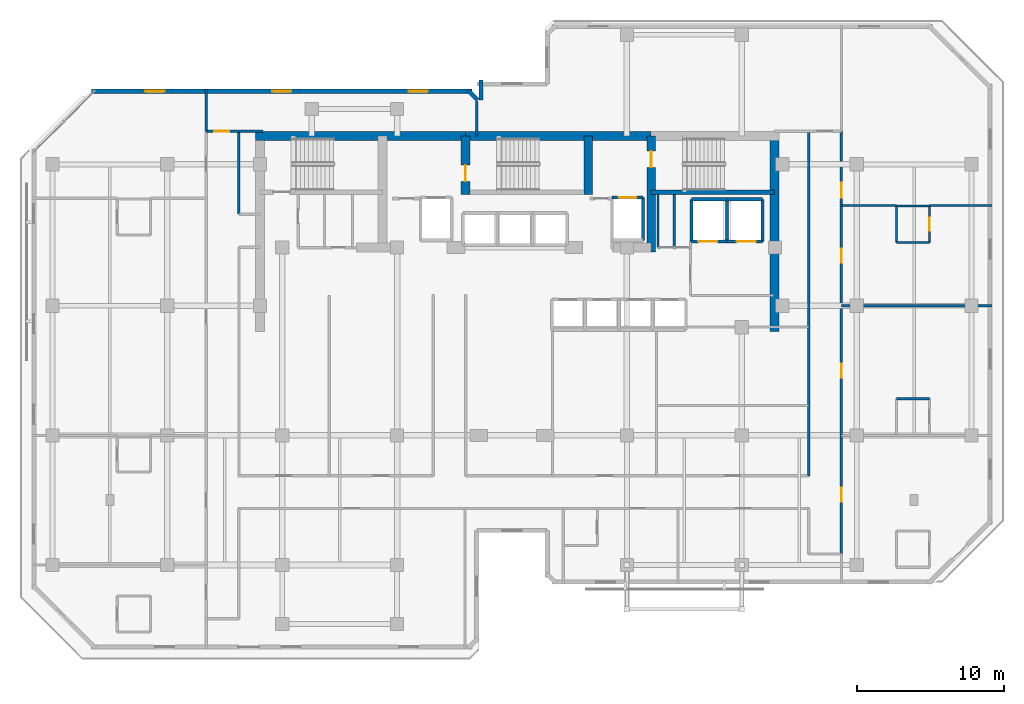
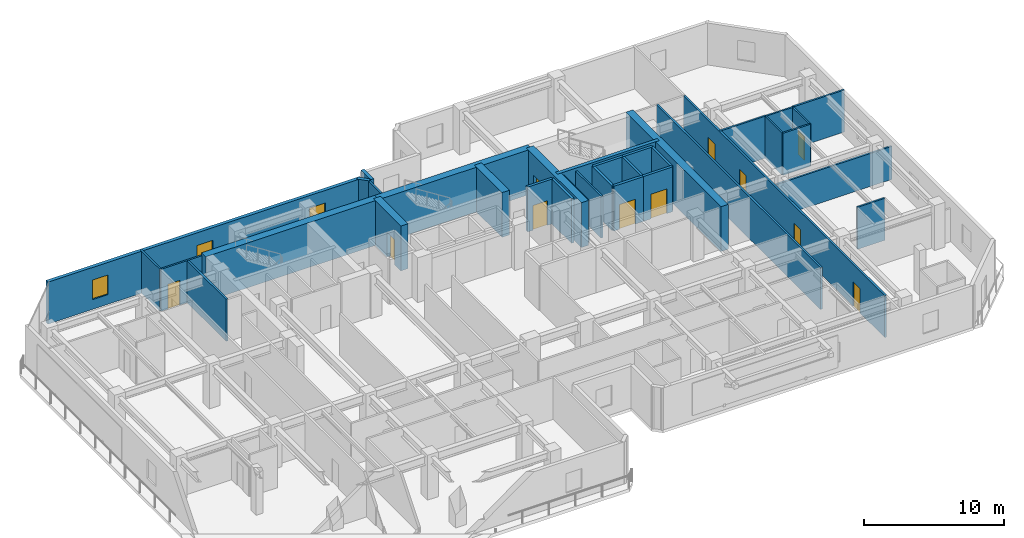
# One storey, part 7 of 10: 35 walls, 11 doors, 3 windows, 14 openings.
"""IFC4 building model written with IfcOpenShell, lengths in metres."""

from ifc_helpers import new_model, si_unit, direction, frame, frame_2d, origin, place, context, subcontext, project, spatial, rectangle, extrude, material, layer, layer_set, type_object, element, fill, save


model = new_model("IFC4")

# Units and contexts
model_context = context("Model", 3, precision=1e-05, world=origin(), true_north=direction((0.0, 1.0)))
body_context = subcontext(model_context, "Body", "Model", "MODEL_VIEW")
ifc_project = project(units=[si_unit("LENGTHUNIT", "METRE"), si_unit("AREAUNIT", "SQUARE_METRE"), si_unit("VOLUMEUNIT", "CUBIC_METRE"), si_unit("PLANEANGLEUNIT", "RADIAN"), si_unit("MASSUNIT", "GRAM", prefix="KILO")], contexts=[model_context])

# Site, building, storey
site_placement = place(None, origin())
site = spatial("IfcSite", under=ifc_project, at=site_placement, CompositionType="ELEMENT")
building_placement = place(site_placement, origin())
building = spatial("IfcBuilding", under=site, at=building_placement, Name="Kestravale Grand Hotel", CompositionType="ELEMENT")
storey_placement = place(building_placement, frame((0.0, 0.0, 189.0)))
storey = spatial("IfcBuildingStorey", under=building, at=storey_placement, Name="L47", CompositionType="ELEMENT", Elevation=189.0)

# Walls
ifc_material_1 = material(Name="Concrete f'c 50 MPa", Category="concrete")
ifc_layer_1 = layer(ifc_material_1, 0.60009765625)
ifc_layer_set_1 = layer_set([ifc_layer_1], Name="EW-CORE-600")
wall_type_1 = type_object("IfcWallType", Name="EW-CORE-600", PredefinedType="SHEAR", material=ifc_layer_set_1)
wall_1_placement = place(storey_placement, frame((21.60009765625, 40.320068359375, 0.0), z_axis=(0.0, 0.0, 1.0), x_axis=(1.0, 0.0, 0.0)))
element("IfcWall", 1, at=wall_1_placement, inside=storey, type_object=wall_type_1, Name="L47 core shear wall N1", PredefinedType="SHEAR", context=body_context, shape_type="SweptSolid", body=[
    extrude(rectangle(XDim=14.25, YDim=0.60009765625, at=frame_2d((7.125, 0.0))), origin(), (0.0, 0.0, 1.0), 3.89990234375),
])
wall_2_placement = place(storey_placement, frame((35.85009765625, 40.320068359375, 0.0), z_axis=(0.0, 0.0, 1.0), x_axis=(1.0, 0.0, 0.0)))
element("IfcWall", 2, at=wall_2_placement, inside=storey, type_object=wall_type_1, Name="L47 core shear wall N2", PredefinedType="SHEAR", context=body_context, shape_type="SweptSolid", body=[
    extrude(rectangle(XDim=12.599853515625, YDim=0.60009765625, at=frame_2d((6.2998046875, 0.0))), origin(), (0.0, 0.0, 1.0), 3.89990234375),
])
wall_3_placement = place(storey_placement, frame((56.820068359375, 27.050048828125, 0.0), z_axis=(0.0, 0.0, 1.0), x_axis=(0.0, 1.0, 0.0)))
element("IfcWall", 3, at=wall_3_placement, inside=storey, type_object=wall_type_1, Name="L47 core shear wall E1", PredefinedType="SHEAR", context=body_context, shape_type="SweptSolid", body=[
    extrude(rectangle(XDim=13.570068359375, YDim=0.60009765625, at=frame_2d((6.78515625, 0.0))), origin(), (0.0, 0.0, 1.0), 3.89990234375),
])

# Wall, opening, door
wall_4_placement = place(storey_placement, frame((35.85009765625, 36.3701171875, 0.0), z_axis=(0.0, 0.0, 1.0), x_axis=(0.0, 1.0, 0.0)))
wall_4 = element("IfcWall", 4, at=wall_4_placement, inside=storey, type_object=wall_type_1, Name="L47 core shear wall X2", PredefinedType="SHEAR", context=body_context, shape_type="SweptSolid", body=[
    extrude(rectangle(XDim=3.949951171875, YDim=0.60009765625, at=frame_2d((1.97509765625, 0.0))), origin(), (0.0, 0.0, 1.0), 3.89990234375),
])
opening_1_placement = place(wall_4_placement, frame((0.8798828125, 0.0, 0.0)))
opening_1 = element("IfcOpeningElement", 5, at=opening_1_placement, cuts=wall_4, Name="Opening D-ST-1100", PredefinedType="OPENING", context=body_context, shape_type="SweptSolid", body=[
    extrude(rectangle(XDim=1.10009765625, YDim=2.14990234375, at=frame_2d((0.550048828125, 1.074951171875))), frame((0.0, 0.31005859375, 0.0), z_axis=(0.0, -1.0, 0.0), x_axis=(1.0, 0.0, 0.0)), (0.0, 0.0, 1.0), 0.6201171875),
])
ifc_material_2 = material(Name="Galvanised 90-minute fire-rated steel stair door", Category="steel")
door_type_1 = type_object("IfcDoorType", Name="D-ST-1100", OperationType="NOTDEFINED", PredefinedType="DOOR", material=ifc_material_2)
door_1_placement = place(opening_1_placement, origin())
door_1 = element("IfcDoor", 6, at=door_1_placement, inside=storey, type_object=door_type_1, Name="L47 Stair ST-2 FSAE fire door", OperationType="SINGLE_SWING_RIGHT", OverallHeight=2.14990234375, OverallWidth=1.10009765625, PredefinedType="DOOR", context=body_context, shape_type="SweptSolid", body=[
    extrude(rectangle(XDim=1.10009765625, YDim=2.14990234375, at=frame_2d((0.550048828125, 1.074951171875))), frame((0.0, 0.02490234375, 0.0), z_axis=(0.0, -1.0, 0.0), x_axis=(1.0, 0.0, 0.0)), (0.0, 0.0, 1.0), 0.050048828125),
])
fill(opening_1, door_1)

# Wall
wall_5_placement = place(storey_placement, frame((44.179931640625, 36.3701171875, 0.0), z_axis=(0.0, 0.0, 1.0), x_axis=(0.0, 1.0, 0.0)))
element("IfcWall", 7, at=wall_5_placement, inside=storey, type_object=wall_type_1, Name="L47 core shear wall X3", PredefinedType="SHEAR", context=body_context, shape_type="SweptSolid", body=[
    extrude(rectangle(XDim=3.949951171875, YDim=0.60009765625, at=frame_2d((1.97509765625, 0.0))), origin(), (0.0, 0.0, 1.0), 3.89990234375),
])

# Wall, opening, door
wall_6_placement = place(storey_placement, frame((48.449951171875, 32.449951171875, 0.0), z_axis=(0.0, 0.0, 1.0), x_axis=(0.0, 1.0, 0.0)))
wall_6 = element("IfcWall", 8, at=wall_6_placement, inside=storey, type_object=wall_type_1, Name="L47 core shear wall X4", PredefinedType="SHEAR", context=body_context, shape_type="SweptSolid", body=[
    extrude(rectangle(XDim=7.8701171875, YDim=0.60009765625, at=frame_2d((3.93505859375, 0.0))), origin(), (0.0, 0.0, 1.0), 3.89990234375),
])
opening_2_placement = place(wall_6_placement, frame((5.75, 0.0, 0.0)))
opening_2 = element("IfcOpeningElement", 9, at=opening_2_placement, cuts=wall_6, Name="Opening D-ST-1100", PredefinedType="OPENING", context=body_context, shape_type="SweptSolid", body=[
    extrude(rectangle(XDim=1.10009765625, YDim=2.14990234375, at=frame_2d((0.550048828125, 1.074951171875))), frame((0.0, 0.31005859375, 0.0), z_axis=(0.0, -1.0, 0.0), x_axis=(1.0, 0.0, 0.0)), (0.0, 0.0, 1.0), 0.6201171875),
])
door_2_placement = place(opening_2_placement, origin())
door_2 = element("IfcDoor", 10, at=door_2_placement, inside=storey, type_object=door_type_1, Name="L47 Stair ST-3 FSAE fire door", OperationType="SINGLE_SWING_RIGHT", OverallHeight=2.14990234375, OverallWidth=1.10009765625, PredefinedType="DOOR", context=body_context, shape_type="SweptSolid", body=[
    extrude(rectangle(XDim=1.10009765625, YDim=2.14990234375, at=frame_2d((0.550048828125, 1.074951171875))), frame((0.0, 0.02490234375, 0.0), z_axis=(0.0, -1.0, 0.0), x_axis=(1.0, 0.0, 0.0)), (0.0, 0.0, 1.0), 0.050048828125),
])
fill(opening_2, door_2)

# Walls
ifc_material_3 = material(Name="Precast concrete f'c 45 MPa", Category="concrete")
ifc_layer_2 = layer(ifc_material_3, 0.280029296875)
ifc_layer_set_2 = layer_set([ifc_layer_2], Name="EW-PREC-280")
wall_type_2 = type_object("IfcWallType", Name="EW-PREC-280", PredefinedType="SOLIDWALL", material=ifc_layer_set_2)
wall_7_placement = place(storey_placement, frame((36.889892578125, 44.139892578125, 0.0), z_axis=(0.0, 0.0, 1.0), x_axis=(0.0, -1.0, 0.0)))
element("IfcWall", 11, at=wall_7_placement, inside=storey, type_object=wall_type_2, Name="L47 fluted precast facade wall 15", PredefinedType="SOLIDWALL", context=body_context, shape_type="SweptSolid", body=[
    extrude(rectangle(XDim=1.3798828125, YDim=0.280029296875, at=frame_2d((0.68994140625, 0.0))), origin(), (0.0, 0.0, 1.0), 3.64990234375),
])
wall_8_placement = place(storey_placement, frame((36.67919921875, 42.772705078125, 0.0), z_axis=(0.0, 0.0, 1.0), x_axis=(-0.707106781187, 0.707106781187, 0.0)))
element("IfcWall", 12, at=wall_8_placement, inside=storey, type_object=wall_type_2, Name="L47 fluted precast facade wall 16", PredefinedType="SOLIDWALL", context=body_context, shape_type="SweptSolid", body=[
    extrude(rectangle(XDim=0.928466796875, YDim=0.280029296875, at=frame_2d((0.46435546875, 0.0))), origin(), (0.0, 0.0, 1.0), 3.64990234375),
])

# Wall, openings, windows
wall_9_placement = place(storey_placement, frame((36.2900390625, 43.360107421875, 0.0), z_axis=(0.0, 0.0, 1.0), x_axis=(-1.0, 0.0, 0.0)))
wall_9 = element("IfcWall", 13, at=wall_9_placement, inside=storey, type_object=wall_type_2, Name="L47 fluted precast facade wall 17", PredefinedType="SOLIDWALL", context=body_context, shape_type="SweptSolid", body=[
    extrude(rectangle(XDim=25.830078125, YDim=0.280029296875, at=frame_2d((12.9150390625, 0.0))), origin(), (0.0, 0.0, 1.0), 3.64990234375),
])
opening_3_placement = place(wall_9_placement, frame((3.0048828125, 0.0, 0.85009765625)))
opening_3 = element("IfcOpeningElement", 14, at=opening_3_placement, cuts=wall_9, Name="Opening W-GUEST-1300", PredefinedType="OPENING", context=body_context, shape_type="SweptSolid", body=[
    extrude(rectangle(XDim=1.300048828125, YDim=1.699951171875, at=frame_2d((0.64990234375, 0.85009765625))), frame((0.0, 0.14990234375, 0.0), z_axis=(0.0, -1.0, 0.0), x_axis=(1.0, 0.0, 0.0)), (0.0, 0.0, 1.0), 0.300048828125),
])
opening_4_placement = place(wall_9_placement, frame((12.264892578125, 0.0, 0.85009765625)))
opening_4 = element("IfcOpeningElement", 15, at=opening_4_placement, cuts=wall_9, Name="Opening W-GUEST-1300", PredefinedType="OPENING", context=body_context, shape_type="SweptSolid", body=[
    extrude(rectangle(XDim=1.300048828125, YDim=1.699951171875, at=frame_2d((0.64990234375, 0.85009765625))), frame((0.0, 0.14990234375, 0.0), z_axis=(0.0, -1.0, 0.0), x_axis=(1.0, 0.0, 0.0)), (0.0, 0.0, 1.0), 0.300048828125),
])
opening_5_placement = place(wall_9_placement, frame((20.875, 0.0, 0.85009765625)))
opening_5 = element("IfcOpeningElement", 16, at=opening_5_placement, cuts=wall_9, Name="Opening W-GUEST-1300", PredefinedType="OPENING", context=body_context, shape_type="SweptSolid", body=[
    extrude(rectangle(XDim=1.300048828125, YDim=1.699951171875, at=frame_2d((0.64990234375, 0.85009765625))), frame((0.0, 0.14990234375, 0.0), z_axis=(0.0, -1.0, 0.0), x_axis=(1.0, 0.0, 0.0)), (0.0, 0.0, 1.0), 0.300048828125),
])
ifc_material_4 = material(Name="Insulated low-E double glazing in aluminium frame", Category="aluminium")
window_type = type_object("IfcWindowType", Name="W-GUEST-1300", PartitioningType="SINGLE_PANEL", PredefinedType="WINDOW", material=ifc_material_4)
window_1_placement = place(opening_3_placement, origin())
window_1 = element("IfcWindow", 17, at=window_1_placement, inside=storey, type_object=window_type, Name="L47 exterior window 17.1", OverallHeight=1.699951171875, OverallWidth=1.300048828125, PartitioningType="SINGLE_PANEL", PredefinedType="WINDOW", context=body_context, shape_type="SweptSolid", body=[
    extrude(rectangle(XDim=1.300048828125, YDim=1.699951171875, at=frame_2d((0.64990234375, 0.85009765625))), frame((0.0, 0.030029296875, 0.0), z_axis=(0.0, -1.0, 0.0), x_axis=(1.0, 0.0, 0.0)), (0.0, 0.0, 1.0), 0.06005859375),
])
fill(opening_3, window_1)
window_2_placement = place(opening_4_placement, origin())
window_2 = element("IfcWindow", 18, at=window_2_placement, inside=storey, type_object=window_type, Name="L47 exterior window 17.2", OverallHeight=1.699951171875, OverallWidth=1.300048828125, PartitioningType="SINGLE_PANEL", PredefinedType="WINDOW", context=body_context, shape_type="SweptSolid", body=[
    extrude(rectangle(XDim=1.300048828125, YDim=1.699951171875, at=frame_2d((0.64990234375, 0.85009765625))), frame((0.0, 0.030029296875, 0.0), z_axis=(0.0, -1.0, 0.0), x_axis=(1.0, 0.0, 0.0)), (0.0, 0.0, 1.0), 0.06005859375),
])
fill(opening_4, window_2)
window_3_placement = place(opening_5_placement, origin())
window_3 = element("IfcWindow", 19, at=window_3_placement, inside=storey, type_object=window_type, Name="L47 exterior window 17.3", OverallHeight=1.699951171875, OverallWidth=1.300048828125, PartitioningType="SINGLE_PANEL", PredefinedType="WINDOW", context=body_context, shape_type="SweptSolid", body=[
    extrude(rectangle(XDim=1.300048828125, YDim=1.699951171875, at=frame_2d((0.64990234375, 0.85009765625))), frame((0.0, 0.030029296875, 0.0), z_axis=(0.0, -1.0, 0.0), x_axis=(1.0, 0.0, 0.0)), (0.0, 0.0, 1.0), 0.06005859375),
])
fill(opening_5, window_3)

# Walls
ifc_material_5 = material(Name="Concrete f'c 45 MPa", Category="concrete")
ifc_layer_3 = layer(ifc_material_5, 0.300048828125)
ifc_layer_set_3 = layer_set([ifc_layer_3], Name="EW-STAIR-300")
wall_type_3 = type_object("IfcWallType", Name="EW-STAIR-300", PredefinedType="SHEAR", material=ifc_layer_set_3)
wall_10_placement = place(storey_placement, frame((48.449951171875, 36.52001953125, 0.0), z_axis=(0.0, 0.0, 1.0), x_axis=(1.0, 0.0, 0.0)))
element("IfcWall", 20, at=wall_10_placement, inside=storey, type_object=wall_type_3, Name="L47 stair enclosure shear wall SST3", PredefinedType="SHEAR", context=body_context, shape_type="SweptSolid", body=[
    extrude(rectangle(XDim=8.3701171875, YDim=0.300048828125, at=frame_2d((4.18505859375, 0.0))), origin(), (0.0, 0.0, 1.0), 3.89990234375),
])
ifc_material_6 = material(Name="Acoustic fire-rated gypsum board partition", Category="other")
ifc_layer_4 = layer(ifc_material_6, 0.159912109375)
ifc_layer_set_4 = layer_set([ifc_layer_4], Name="IW-CORR-160")
wall_type_4 = type_object("IfcWallType", Name="IW-CORR-160", PredefinedType="PARTITIONING", material=ifc_layer_set_4)
wall_11_placement = place(storey_placement, frame((20.4599609375, 35.02001953125, 0.0), z_axis=(0.0, 0.0, 1.0), x_axis=(0.0, 1.0, 0.0)))
element("IfcWall", 21, at=wall_11_placement, inside=storey, type_object=wall_type_4, Name="W-L47-SW-EN", PredefinedType="PARTITIONING", context=body_context, shape_type="SweptSolid", body=[
    extrude(rectangle(XDim=5.6298828125, YDim=0.159912109375, at=frame_2d((2.81494140625, 0.0))), origin(), (0.0, 0.0, 1.0), 3.64990234375),
])

# Wall, openings, doors
wall_12_placement = place(storey_placement, frame((61.360107421875, 11.949951171875, 0.0), z_axis=(0.0, 0.0, 1.0), x_axis=(0.0, 1.0, 0.0)))
wall_12 = element("IfcWall", 22, at=wall_12_placement, inside=storey, type_object=wall_type_4, Name="W-L47-SE-E", PredefinedType="PARTITIONING", context=body_context, shape_type="SweptSolid", body=[
    extrude(rectangle(XDim=28.699951171875, YDim=0.159912109375, at=frame_2d((14.35009765625, 0.0))), origin(), (0.0, 0.0, 1.0), 3.64990234375),
])
opening_6_placement = place(wall_12_placement, frame((3.550048828125, 0.0, 0.0)))
opening_6 = element("IfcOpeningElement", 23, at=opening_6_placement, cuts=wall_12, Name="Opening D-GUEST-950", PredefinedType="OPENING", context=body_context, shape_type="SweptSolid", body=[
    extrude(rectangle(XDim=0.949951171875, YDim=2.10009765625, at=frame_2d((0.47509765625, 1.050048828125))), frame((0.0, 0.08984375, 0.0), z_axis=(0.0, -1.0, 0.0), x_axis=(1.0, 0.0, 0.0)), (0.0, 0.0, 1.0), 0.179931640625),
])
opening_7_placement = place(wall_12_placement, frame((11.97509765625, 0.0, 0.0)))
opening_7 = element("IfcOpeningElement", 24, at=opening_7_placement, cuts=wall_12, Name="Opening D-GUEST-950", PredefinedType="OPENING", context=body_context, shape_type="SweptSolid", body=[
    extrude(rectangle(XDim=0.949951171875, YDim=2.10009765625, at=frame_2d((0.47509765625, 1.050048828125))), frame((0.0, 0.08984375, 0.0), z_axis=(0.0, -1.0, 0.0), x_axis=(1.0, 0.0, 0.0)), (0.0, 0.0, 1.0), 0.179931640625),
])
opening_8_placement = place(wall_12_placement, frame((19.77490234375, 0.0, 0.0)))
opening_8 = element("IfcOpeningElement", 25, at=opening_8_placement, cuts=wall_12, Name="Opening D-GUEST-950", PredefinedType="OPENING", context=body_context, shape_type="SweptSolid", body=[
    extrude(rectangle(XDim=0.949951171875, YDim=2.10009765625, at=frame_2d((0.47509765625, 1.050048828125))), frame((0.0, 0.08984375, 0.0), z_axis=(0.0, -1.0, 0.0), x_axis=(1.0, 0.0, 0.0)), (0.0, 0.0, 1.0), 0.179931640625),
])
opening_9_placement = place(wall_12_placement, frame((24.199951171875, 0.0, 0.0)))
opening_9 = element("IfcOpeningElement", 26, at=opening_9_placement, cuts=wall_12, Name="Opening D-GUEST-1000", PredefinedType="OPENING", context=body_context, shape_type="SweptSolid", body=[
    extrude(rectangle(XDim=1.0, YDim=2.14990234375, at=frame_2d((0.5, 1.074951171875))), frame((0.0, 0.08984375, 0.0), z_axis=(0.0, -1.0, 0.0), x_axis=(1.0, 0.0, 0.0)), (0.0, 0.0, 1.0), 0.179931640625),
])
ifc_material_7 = material(Name="Accessible walnut veneer hotel entrance fire door", Category="wood")
door_type_2 = type_object("IfcDoorType", Name="D-GUEST-1000", OperationType="NOTDEFINED", PredefinedType="DOOR", material=ifc_material_7)
door_3_placement = place(opening_9_placement, origin())
door_3 = element("IfcDoor", 27, at=door_3_placement, inside=storey, type_object=door_type_2, Name="D-L47-AMEW", OperationType="SINGLE_SWING_RIGHT", OverallHeight=2.14990234375, OverallWidth=1.0, PredefinedType="DOOR", context=body_context, shape_type="SweptSolid", body=[
    extrude(rectangle(XDim=1.0, YDim=2.14990234375, at=frame_2d((0.5, 1.074951171875))), frame((0.0, 0.02490234375, 0.0), z_axis=(0.0, -1.0, 0.0), x_axis=(1.0, 0.0, 0.0)), (0.0, 0.0, 1.0), 0.050048828125),
])
fill(opening_9, door_3)
ifc_material_8 = material(Name="Walnut veneer hotel guestroom entrance fire door", Category="wood")
door_type_3 = type_object("IfcDoorType", Name="D-GUEST-950", OperationType="NOTDEFINED", PredefinedType="DOOR", material=ifc_material_8)
door_4_placement = place(opening_6_placement, origin())
door_4 = element("IfcDoor", 28, at=door_4_placement, inside=storey, type_object=door_type_3, Name="D-L47-U05-ENT", OperationType="SINGLE_SWING_LEFT", OverallHeight=2.10009765625, OverallWidth=0.949951171875, PredefinedType="DOOR", context=body_context, shape_type="SweptSolid", body=[
    extrude(rectangle(XDim=0.949951171875, YDim=2.10009765625, at=frame_2d((0.47509765625, 1.050048828125))), frame((0.0, 0.02490234375, 0.0), z_axis=(0.0, -1.0, 0.0), x_axis=(1.0, 0.0, 0.0)), (0.0, 0.0, 1.0), 0.050048828125),
])
fill(opening_6, door_4)
door_5_placement = place(opening_7_placement, origin())
door_5 = element("IfcDoor", 29, at=door_5_placement, inside=storey, type_object=door_type_3, Name="D-L47-U06-ENT", OperationType="SINGLE_SWING_LEFT", OverallHeight=2.10009765625, OverallWidth=0.949951171875, PredefinedType="DOOR", context=body_context, shape_type="SweptSolid", body=[
    extrude(rectangle(XDim=0.949951171875, YDim=2.10009765625, at=frame_2d((0.47509765625, 1.050048828125))), frame((0.0, 0.02490234375, 0.0), z_axis=(0.0, -1.0, 0.0), x_axis=(1.0, 0.0, 0.0)), (0.0, 0.0, 1.0), 0.050048828125),
])
fill(opening_7, door_5)
door_6_placement = place(opening_8_placement, origin())
door_6 = element("IfcDoor", 30, at=door_6_placement, inside=storey, type_object=door_type_3, Name="D-L47-U07-ENT", OperationType="SINGLE_SWING_LEFT", OverallHeight=2.10009765625, OverallWidth=0.949951171875, PredefinedType="DOOR", context=body_context, shape_type="SweptSolid", body=[
    extrude(rectangle(XDim=0.949951171875, YDim=2.10009765625, at=frame_2d((0.47509765625, 1.050048828125))), frame((0.0, 0.02490234375, 0.0), z_axis=(0.0, -1.0, 0.0), x_axis=(1.0, 0.0, 0.0)), (0.0, 0.0, 1.0), 0.050048828125),
])
fill(opening_8, door_6)

# Walls
wall_13_placement = place(storey_placement, frame((59.139892578125, 17.260009765625, 0.0), z_axis=(0.0, 0.0, 1.0), x_axis=(0.0, 1.0, 0.0)))
element("IfcWall", 31, at=wall_13_placement, inside=storey, type_object=wall_type_4, Name="W-L47-SE-WU", PredefinedType="PARTITIONING", context=body_context, shape_type="SweptSolid", body=[
    extrude(rectangle(XDim=23.389892578125, YDim=0.159912109375, at=frame_2d((11.69482421875, 0.0))), origin(), (0.0, 0.0, 1.0), 3.64990234375),
])
ifc_material_9 = material(Name="Moisture-resistant tile-backer plumbing chase wall", Category="other")
ifc_layer_5 = layer(ifc_material_9, 0.139892578125)
ifc_layer_set_5 = layer_set([ifc_layer_5], Name="IW-PLB-140")
wall_type_5 = type_object("IfcWallType", Name="IW-PLB-140", PredefinedType="PLUMBINGWALL", material=ifc_layer_set_5)
wall_14_placement = place(storey_placement, frame((65.10009765625, 22.489990234375, 0.0), z_axis=(0.0, 0.0, 1.0), x_axis=(1.0, 0.0, 0.0)))
element("IfcWall", 32, at=wall_14_placement, inside=storey, type_object=wall_type_5, Name="W-L47-U06-BN", PredefinedType="PLUMBINGWALL", context=body_context, shape_type="SweptSolid", body=[
    extrude(rectangle(XDim=2.25, YDim=0.139892578125, at=frame_2d((1.125, 0.0))), origin(), (0.0, 0.0, 1.0), 3.64990234375),
])
wall_15_placement = place(storey_placement, frame((65.10009765625, 33.110107421875, 0.0), z_axis=(0.0, 0.0, 1.0), x_axis=(0.0, 1.0, 0.0)))
element("IfcWall", 33, at=wall_15_placement, inside=storey, type_object=wall_type_5, Name="W-L47-U07-BW", PredefinedType="PLUMBINGWALL", context=body_context, shape_type="SweptSolid", body=[
    extrude(rectangle(XDim=2.449951171875, YDim=0.139892578125, at=frame_2d((1.22509765625, 0.0))), origin(), (0.0, 0.0, 1.0), 3.64990234375),
])

# Wall, opening, door
wall_16_placement = place(storey_placement, frame((67.35009765625, 33.110107421875, 0.0), z_axis=(0.0, 0.0, 1.0), x_axis=(0.0, 1.0, 0.0)))
wall_16 = element("IfcWall", 34, at=wall_16_placement, inside=storey, type_object=wall_type_5, Name="W-L47-U07-BE", PredefinedType="PLUMBINGWALL", context=body_context, shape_type="SweptSolid", body=[
    extrude(rectangle(XDim=2.449951171875, YDim=0.139892578125, at=frame_2d((1.22509765625, 0.0))), origin(), (0.0, 0.0, 1.0), 3.64990234375),
])
opening_10_placement = place(wall_16_placement, frame((0.784912109375, 0.0, 0.0)))
opening_10 = element("IfcOpeningElement", 35, at=opening_10_placement, cuts=wall_16, Name="Opening D-BATH-880", PredefinedType="OPENING", context=body_context, shape_type="SweptSolid", body=[
    extrude(rectangle(XDim=0.8798828125, YDim=2.050048828125, at=frame_2d((0.43994140625, 1.02490234375))), frame((0.0, 0.079833984375, 0.0), z_axis=(0.0, -1.0, 0.0), x_axis=(1.0, 0.0, 0.0)), (0.0, 0.0, 1.0), 0.159912109375),
])
ifc_material_10 = material(Name="Moisture-sealed walnut en-suite bathroom door", Category="wood")
door_type_4 = type_object("IfcDoorType", Name="D-BATH-880", OperationType="NOTDEFINED", PredefinedType="DOOR", material=ifc_material_10)
door_7_placement = place(opening_10_placement, origin())
door_7 = element("IfcDoor", 36, at=door_7_placement, inside=storey, type_object=door_type_4, Name="D-L47-U07-BATH", OperationType="SINGLE_SWING_RIGHT", OverallHeight=2.050048828125, OverallWidth=0.8798828125, PredefinedType="DOOR", context=body_context, shape_type="SweptSolid", body=[
    extrude(rectangle(XDim=0.8798828125, YDim=2.050048828125, at=frame_2d((0.43994140625, 1.02490234375))), frame((0.0, 0.02490234375, 0.0), z_axis=(0.0, -1.0, 0.0), x_axis=(1.0, 0.0, 0.0)), (0.0, 0.0, 1.0), 0.050048828125),
])
fill(opening_10, door_7)

# Walls
for number, where, z_axis, x_axis, name in (
    (37, (65.10009765625, 33.110107421875, 0.0), (0.0, 0.0, 1.0), (1.0, 0.0, 0.0), "W-L47-U07-BS"),
    (38, (65.10009765625, 35.56005859375, 0.0), (0.0, 0.0, 1.0), (1.0, 0.0, 0.0), "W-L47-U07-BN"),
):
    element("IfcWall", number, at=place(storey_placement, frame(where, z_axis=z_axis, x_axis=x_axis)), inside=storey, type_object=wall_type_5, Name=name, PredefinedType="PLUMBINGWALL", context=body_context, shape_type="SweptSolid", body=[
        extrude(rectangle(XDim=2.25, YDim=0.139892578125, at=frame_2d((1.125, 0.0))), origin(), (0.0, 0.0, 1.0), 3.64990234375),
    ])
ifc_material_11 = material(Name="Concrete f'c 45 MPa", Category="concrete")
ifc_layer_6 = layer(ifc_material_11, 0.199951171875)
ifc_layer_set_6 = layer_set([ifc_layer_6], Name="IW-SHAFT-200")
wall_type_6 = type_object("IfcWallType", Name="IW-SHAFT-200", PredefinedType="SHEAR", material=ifc_layer_set_6)
for number, where, z_axis, x_axis, name in (
    (39, (51.179931640625, 33.169921875, 0.0), (0.0, 0.0, 1.0), (0.0, 1.0, 0.0), "L47 SL-1 west shaft wall"),
    (40, (53.60009765625, 33.169921875, 0.0), (0.0, 0.0, 1.0), (0.0, 1.0, 0.0), "L47 SL-2 west shaft wall"),
    (41, (56.02001953125, 33.169921875, 0.0), (0.0, 0.0, 1.0), (0.0, 1.0, 0.0), "L47 SL-2 east shaft wall"),
):
    element("IfcWall", number, at=place(storey_placement, frame(where, z_axis=z_axis, x_axis=x_axis)), inside=storey, type_object=wall_type_6, Name=name, PredefinedType="SHEAR", context=body_context, shape_type="SweptSolid", body=[
        extrude(rectangle(XDim=2.860107421875, YDim=0.199951171875, at=frame_2d((1.43017578125, 0.0))), origin(), (0.0, 0.0, 1.0), 3.89990234375),
    ])
wall_17_placement = place(storey_placement, frame((47.89501953125, 33.2451171875, 0.0), z_axis=(0.0, 0.0, 1.0), x_axis=(0.0, 1.0, 0.0)))
element("IfcWall", 42, at=wall_17_placement, inside=storey, type_object=wall_type_6, Name="L47 FL-2 east shaft wall", PredefinedType="SHEAR", context=body_context, shape_type="SweptSolid", body=[
    extrude(rectangle(XDim=2.909912109375, YDim=0.199951171875, at=frame_2d((1.455078125, 0.0))), origin(), (0.0, 0.0, 1.0), 3.89990234375),
])
ifc_material_12 = material(Name="Concrete f'c 45 MPa", Category="concrete")
ifc_layer_7 = layer(ifc_material_12, 0.219970703125)
ifc_layer_set_7 = layer_set([ifc_layer_7], Name="IW-SHAFT-220")
wall_type_7 = type_object("IfcWallType", Name="IW-SHAFT-220", PredefinedType="SHEAR", material=ifc_layer_set_7)
wall_18_placement = place(storey_placement, frame((51.179931640625, 36.030029296875, 0.0), z_axis=(0.0, 0.0, 1.0), x_axis=(1.0, 0.0, 0.0)))
element("IfcWall", 43, at=wall_18_placement, inside=storey, type_object=wall_type_7, Name="L47 SL-1 north shaft wall", PredefinedType="SHEAR", context=body_context, shape_type="SweptSolid", body=[
    extrude(rectangle(XDim=2.420166015625, YDim=0.219970703125, at=frame_2d((1.2099609375, 0.0))), origin(), (0.0, 0.0, 1.0), 3.89990234375),
])

# Wall, opening, door
wall_19_placement = place(storey_placement, frame((51.179931640625, 33.169921875, 0.0), z_axis=(0.0, 0.0, 1.0), x_axis=(1.0, 0.0, 0.0)))
wall_19 = element("IfcWall", 44, at=wall_19_placement, inside=storey, type_object=wall_type_7, Name="L47 SL-1 south shaft wall", PredefinedType="SHEAR", context=body_context, shape_type="SweptSolid", body=[
    extrude(rectangle(XDim=2.420166015625, YDim=0.219970703125, at=frame_2d((1.2099609375, 0.0))), origin(), (0.0, 0.0, 1.0), 3.89990234375),
])
opening_11_placement = place(wall_19_placement, frame((0.469970703125, 0.0, 0.0)))
opening_11 = element("IfcOpeningElement", 45, at=opening_11_placement, cuts=wall_19, Name="Opening LD-SVC-1300", PredefinedType="OPENING", context=body_context, shape_type="SweptSolid", body=[
    extrude(rectangle(XDim=1.300048828125, YDim=2.14990234375, at=frame_2d((0.64990234375, 1.074951171875))), frame((0.0, 0.119873046875, 0.0), z_axis=(0.0, -1.0, 0.0), x_axis=(1.0, 0.0, 0.0)), (0.0, 0.0, 1.0), 0.239990234375),
])
ifc_material_13 = material(Name="Heavy-duty service sliding elevator landing door", Category="steel")
door_type_5 = type_object("IfcDoorType", Name="LD-SVC-1300", OperationType="NOTDEFINED", PredefinedType="DOOR", material=ifc_material_13)
door_8_placement = place(opening_11_placement, origin())
door_8 = element("IfcDoor", 46, at=door_8_placement, inside=storey, type_object=door_type_5, Name="L47 SL-1 elevator landing sliding door", OperationType="DOUBLE_DOOR_SLIDING", OverallHeight=2.14990234375, OverallWidth=1.300048828125, PredefinedType="DOOR", context=body_context, shape_type="SweptSolid", body=[
    extrude(rectangle(XDim=1.300048828125, YDim=2.14990234375, at=frame_2d((0.64990234375, 1.074951171875))), frame((0.0, 0.02490234375, 0.0), z_axis=(0.0, -1.0, 0.0), x_axis=(1.0, 0.0, 0.0)), (0.0, 0.0, 1.0), 0.050048828125),
])
fill(opening_11, door_8)

# Wall
wall_20_placement = place(storey_placement, frame((53.60009765625, 36.030029296875, 0.0), z_axis=(0.0, 0.0, 1.0), x_axis=(1.0, 0.0, 0.0)))
element("IfcWall", 47, at=wall_20_placement, inside=storey, type_object=wall_type_7, Name="L47 SL-2 north shaft wall", PredefinedType="SHEAR", context=body_context, shape_type="SweptSolid", body=[
    extrude(rectangle(XDim=2.419921875, YDim=0.219970703125, at=frame_2d((1.2099609375, 0.0))), origin(), (0.0, 0.0, 1.0), 3.89990234375),
])

# Wall, opening, door
wall_21_placement = place(storey_placement, frame((53.60009765625, 33.169921875, 0.0), z_axis=(0.0, 0.0, 1.0), x_axis=(1.0, 0.0, 0.0)))
wall_21 = element("IfcWall", 48, at=wall_21_placement, inside=storey, type_object=wall_type_7, Name="L47 SL-2 south shaft wall", PredefinedType="SHEAR", context=body_context, shape_type="SweptSolid", body=[
    extrude(rectangle(XDim=2.419921875, YDim=0.219970703125, at=frame_2d((1.2099609375, 0.0))), origin(), (0.0, 0.0, 1.0), 3.89990234375),
])
opening_12_placement = place(wall_21_placement, frame((0.64990234375, 0.0, 0.0)))
opening_12 = element("IfcOpeningElement", 49, at=opening_12_placement, cuts=wall_21, Name="Opening LD-SVC-1300", PredefinedType="OPENING", context=body_context, shape_type="SweptSolid", body=[
    extrude(rectangle(XDim=1.300048828125, YDim=2.14990234375, at=frame_2d((0.64990234375, 1.074951171875))), frame((0.0, 0.119873046875, 0.0), z_axis=(0.0, -1.0, 0.0), x_axis=(1.0, 0.0, 0.0)), (0.0, 0.0, 1.0), 0.239990234375),
])
door_9_placement = place(opening_12_placement, origin())
door_9 = element("IfcDoor", 50, at=door_9_placement, inside=storey, type_object=door_type_5, Name="L47 SL-2 elevator landing sliding door", OperationType="DOUBLE_DOOR_SLIDING", OverallHeight=2.14990234375, OverallWidth=1.300048828125, PredefinedType="DOOR", context=body_context, shape_type="SweptSolid", body=[
    extrude(rectangle(XDim=1.300048828125, YDim=2.14990234375, at=frame_2d((0.64990234375, 1.074951171875))), frame((0.0, 0.02490234375, 0.0), z_axis=(0.0, -1.0, 0.0), x_axis=(1.0, 0.0, 0.0)), (0.0, 0.0, 1.0), 0.050048828125),
])
fill(opening_12, door_9)

wall_22_placement = place(storey_placement, frame((45.804931640625, 36.155029296875, 0.0), z_axis=(0.0, 0.0, 1.0), x_axis=(1.0, 0.0, 0.0)))
wall_22 = element("IfcWall", 51, at=wall_22_placement, inside=storey, type_object=wall_type_7, Name="L47 FL-2 north shaft wall", PredefinedType="SHEAR", context=body_context, shape_type="SweptSolid", body=[
    extrude(rectangle(XDim=2.090087890625, YDim=0.219970703125, at=frame_2d((1.044921875, 0.0))), origin(), (0.0, 0.0, 1.0), 3.89990234375),
])
opening_13_placement = place(wall_22_placement, frame((0.445068359375, 0.0, 0.0)))
opening_13 = element("IfcOpeningElement", 52, at=opening_13_placement, cuts=wall_22, Name="Opening LD-FSAE-1200", PredefinedType="OPENING", context=body_context, shape_type="SweptSolid", body=[
    extrude(rectangle(XDim=1.199951171875, YDim=2.14990234375, at=frame_2d((0.60009765625, 1.074951171875))), frame((0.0, 0.119873046875, 0.0), z_axis=(0.0, -1.0, 0.0), x_axis=(1.0, 0.0, 0.0)), (0.0, 0.0, 1.0), 0.239990234375),
])
ifc_material_14 = material(Name="Stainless fire-service sliding elevator landing door", Category="steel")
door_type_6 = type_object("IfcDoorType", Name="LD-FSAE-1200", OperationType="NOTDEFINED", PredefinedType="DOOR", material=ifc_material_14)
door_10_placement = place(opening_13_placement, origin())
door_10 = element("IfcDoor", 53, at=door_10_placement, inside=storey, type_object=door_type_6, Name="L47 FL-2 elevator landing sliding door", OperationType="DOUBLE_DOOR_SLIDING", OverallHeight=2.14990234375, OverallWidth=1.199951171875, PredefinedType="DOOR", context=body_context, shape_type="SweptSolid", body=[
    extrude(rectangle(XDim=1.199951171875, YDim=2.14990234375, at=frame_2d((0.60009765625, 1.074951171875))), frame((0.0, 0.02490234375, 0.0), z_axis=(0.0, -1.0, 0.0), x_axis=(1.0, 0.0, 0.0)), (0.0, 0.0, 1.0), 0.050048828125),
])
fill(opening_13, door_10)

# Walls
ifc_material_15 = material(Name="Double-stud STC 52 acoustic demising partition", Category="other")
ifc_layer_8 = layer(ifc_material_15, 0.14990234375)
ifc_layer_set_8 = layer_set([ifc_layer_8], Name="IW-UNIT-150")
wall_type_8 = type_object("IfcWallType", Name="IW-UNIT-150", PredefinedType="PARTITIONING", material=ifc_layer_set_8)
for number, where, z_axis, x_axis, name in (
    (54, (48.919921875, 32.75, 0.0), (0.0, 0.0, 1.0), (0.0, 1.0, 0.0), "W-L47-CEW"),
    (55, (50.010009765625, 32.75, 0.0), (0.0, 0.0, 1.0), (0.0, 1.0, 0.0), "W-L47-CC1-EM"),
):
    element("IfcWall", number, at=place(storey_placement, frame(where, z_axis=z_axis, x_axis=x_axis)), inside=storey, type_object=wall_type_8, Name=name, PredefinedType="PARTITIONING", context=body_context, shape_type="SweptSolid", body=[
        extrude(rectangle(XDim=3.6201171875, YDim=0.14990234375, at=frame_2d((1.81005859375, 0.0))), origin(), (0.0, 0.0, 1.0), 3.64990234375),
    ])

# Wall, opening, door
wall_23_placement = place(storey_placement, frame((18.239990234375, 40.64990234375, 0.0), z_axis=(0.0, 0.0, 1.0), x_axis=(1.0, 0.0, 0.0)))
wall_23 = element("IfcWall", 56, at=wall_23_placement, inside=storey, type_object=wall_type_8, Name="W-L47-SW-N", PredefinedType="PARTITIONING", context=body_context, shape_type="SweptSolid", body=[
    extrude(rectangle(XDim=3.860107421875, YDim=0.14990234375, at=frame_2d((1.93017578125, 0.0))), origin(), (0.0, 0.0, 1.0), 3.64990234375),
])
opening_14_placement = place(wall_23_placement, frame((0.550048828125, 0.0, 0.0)))
opening_14 = element("IfcOpeningElement", 57, at=opening_14_placement, cuts=wall_23, Name="Opening D-GUEST-1000", PredefinedType="OPENING", context=body_context, shape_type="SweptSolid", body=[
    extrude(rectangle(XDim=1.0, YDim=2.14990234375, at=frame_2d((0.5, 1.074951171875))), frame((0.0, 0.0849609375, 0.0), z_axis=(0.0, -1.0, 0.0), x_axis=(1.0, 0.0, 0.0)), (0.0, 0.0, 1.0), 0.169921875),
])
door_11_placement = place(opening_14_placement, origin())
door_11 = element("IfcDoor", 58, at=door_11_placement, inside=storey, type_object=door_type_2, Name="L47 NW Gallery Door", OperationType="SINGLE_SWING_RIGHT", OverallHeight=2.14990234375, OverallWidth=1.0, PredefinedType="DOOR", context=body_context, shape_type="SweptSolid", body=[
    extrude(rectangle(XDim=1.0, YDim=2.14990234375, at=frame_2d((0.5, 1.074951171875))), frame((0.0, 0.02490234375, 0.0), z_axis=(0.0, -1.0, 0.0), x_axis=(1.0, 0.0, 0.0)), (0.0, 0.0, 1.0), 0.050048828125),
])
fill(opening_14, door_11)

# Walls
wall_24_placement = place(storey_placement, frame((18.239990234375, 40.64990234375, 0.0), z_axis=(0.0, 0.0, 1.0), x_axis=(0.0, 1.0, 0.0)))
element("IfcWall", 59, at=wall_24_placement, inside=storey, type_object=wall_type_8, Name="W-L47-NGW-W", PredefinedType="PARTITIONING", context=body_context, shape_type="SweptSolid", body=[
    extrude(rectangle(XDim=2.830078125, YDim=0.14990234375, at=frame_2d((1.4150390625, 0.0))), origin(), (0.0, 0.0, 1.0), 3.64990234375),
])
wall_25_placement = place(storey_placement, frame((36.60009765625, 40.320068359375, 0.0), z_axis=(0.0, 0.0, 1.0), x_axis=(0.0, 1.0, 0.0)))
element("IfcWall", 60, at=wall_25_placement, inside=storey, type_object=wall_type_8, Name="W-L47-NGM", PredefinedType="PARTITIONING", context=body_context, shape_type="SweptSolid", body=[
    extrude(rectangle(XDim=2.344970703125, YDim=0.14990234375, at=frame_2d((1.17236328125, 0.0))), origin(), (0.0, 0.0, 1.0), 3.64990234375),
])
wall_26_placement = place(storey_placement, frame((61.360107421875, 28.800048828125, 0.0), z_axis=(0.0, 0.0, 1.0), x_axis=(1.0, 0.0, 0.0)))
element("IfcWall", 61, at=wall_26_placement, inside=storey, type_object=wall_type_8, Name="W-L47-EW-2", PredefinedType="PARTITIONING", context=body_context, shape_type="SweptSolid", body=[
    extrude(rectangle(XDim=10.219970703125, YDim=0.14990234375, at=frame_2d((5.10986328125, 0.0))), origin(), (0.0, 0.0, 1.0), 2.8779296875),
])
wall_27_placement = place(storey_placement, frame((61.360107421875, 35.60009765625, 0.0), z_axis=(0.0, 0.0, 1.0), x_axis=(1.0, 0.0, 0.0)))
element("IfcWall", 62, at=wall_27_placement, inside=storey, type_object=wall_type_8, Name="W-L47-EW-3", PredefinedType="PARTITIONING", context=body_context, shape_type="SweptSolid", body=[
    extrude(rectangle(XDim=3.739990234375, YDim=0.14990234375, at=frame_2d((1.8701171875, 0.0))), origin(), (0.0, 0.0, 1.0), 3.64990234375),
])
wall_28_placement = place(storey_placement, frame((67.35009765625, 35.60009765625, 0.0), z_axis=(0.0, 0.0, 1.0), x_axis=(1.0, 0.0, 0.0)))
element("IfcWall", 63, at=wall_28_placement, inside=storey, type_object=wall_type_8, Name="W-L47-EW-3", PredefinedType="PARTITIONING", context=body_context, shape_type="SweptSolid", body=[
    extrude(rectangle(XDim=4.22998046875, YDim=0.14990234375, at=frame_2d((2.114990234375, 0.0))), origin(), (0.0, 0.0, 1.0), 3.64990234375),
])

save(model, "model.ifc")
